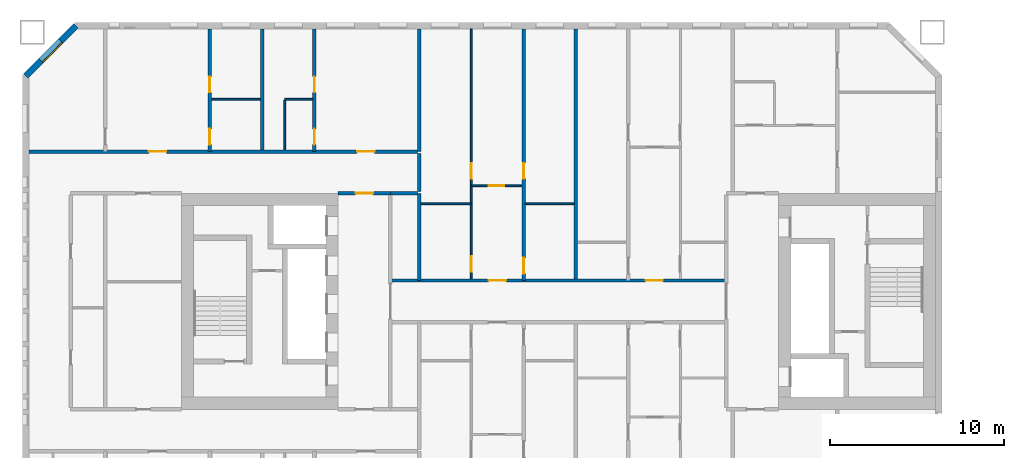
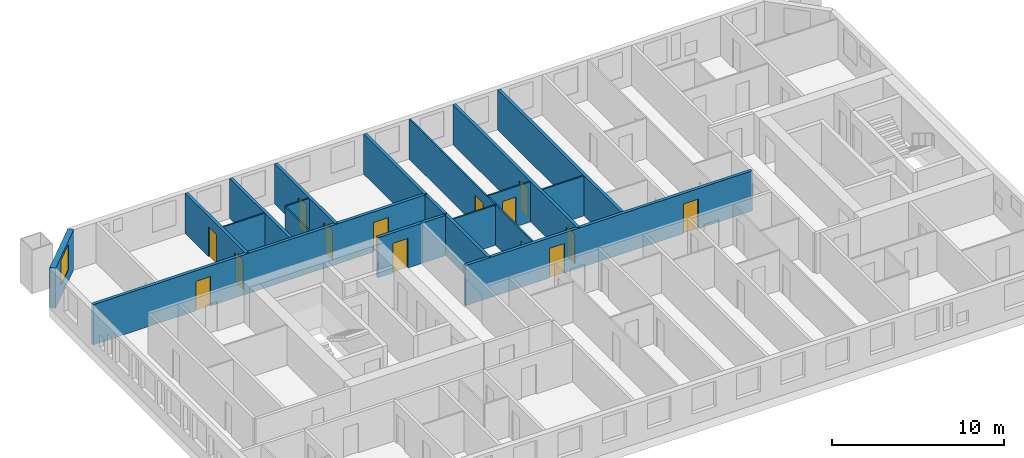
# One storey, part 5 of 17: 20 walls, 14 doors, 1 window, 15 openings.
"""IFC4 building model written with IfcOpenShell, lengths in metres."""

from ifc_helpers import new_model, si_unit, direction, frame, frame_2d, origin, place, context, subcontext, project, spatial, rectangle, extrude, material, layer, layer_set, type_object, element, fill, save


model = new_model("IFC4")

# Units and contexts
model_context = context("Model", 3, precision=1e-05, world=origin(), true_north=direction((0.0, 1.0)))
body_context = subcontext(model_context, "Body", "Model", "MODEL_VIEW")
ifc_project = project(units=[si_unit("LENGTHUNIT", "METRE"), si_unit("AREAUNIT", "SQUARE_METRE"), si_unit("VOLUMEUNIT", "CUBIC_METRE"), si_unit("PLANEANGLEUNIT", "RADIAN"), si_unit("MASSUNIT", "GRAM", prefix="KILO")], contexts=[model_context])

# Site, building, storey
site_placement = place(None, origin())
site = spatial("IfcSite", under=ifc_project, at=site_placement, CompositionType="ELEMENT")
building_placement = place(site_placement, origin())
building = spatial("IfcBuilding", under=site, at=building_placement, Name="Tuart Gate Housing", CompositionType="ELEMENT")
storey_placement = place(building_placement, frame((0.0, 0.0, 71.60009765625)))
storey = spatial("IfcBuildingStorey", under=building, at=storey_placement, Name="L19", CompositionType="ELEMENT", Elevation=71.60009765625)

# Wall, opening, window
ifc_material_1 = material(Name="Brick", Category="masonry")
ifc_layer_1 = layer(ifc_material_1, 0.360107421875)
ifc_layer_set_1 = layer_set([ifc_layer_1], Name="Brick pier and spandrel wall 360")
wall_type_1 = type_object("IfcWallType", Name="Brick pier and spandrel wall 360", PredefinedType="STANDARD", material=ifc_layer_set_1)
wall_1_placement = place(storey_placement, frame((26.32470703125, 85.820068359375, 0.0), z_axis=(0.0, 0.0, 1.0), x_axis=(-0.707106781187, -0.707106781187, 0.0)))
wall_1 = element("IfcWall", 1, at=wall_1_placement, inside=storey, type_object=wall_type_1, Name="External wall A-NW L19", PredefinedType="STANDARD", context=body_context, shape_type="SweptSolid", body=[
    extrude(rectangle(XDim=4.09375, YDim=0.360107421875, at=frame_2d((2.046875, 0.0))), origin(), (0.0, 0.0, 1.0), 2.849853515625),
])
opening_1_placement = place(wall_1_placement, frame((1.2470703125, 0.0, 0.800048828125)))
opening_1 = element("IfcOpeningElement", 2, at=opening_1_placement, cuts=wall_1, Name="Opening W1", PredefinedType="OPENING", context=body_context, shape_type="SweptSolid", body=[
    extrude(rectangle(XDim=1.60009765625, YDim=1.800048828125, at=frame_2d((0.800048828125, 0.89990234375))), frame((0.0, 0.18994140625, 0.0), z_axis=(0.0, -1.0, 0.0), x_axis=(1.0, 0.0, 0.0)), (0.0, 0.0, 1.0), 0.380126953125),
])
ifc_material_2 = material(Name="Aluminium frame with clear glass", Category="aluminium")
window_type = type_object("IfcWindowType", Name="Punched window 1600 x 1800", PartitioningType="SINGLE_PANEL", PredefinedType="WINDOW", material=ifc_material_2)
window_placement = place(opening_1_placement, origin())
window = element("IfcWindow", 3, at=window_placement, inside=storey, type_object=window_type, Name="Window W1", OverallHeight=1.800048828125, OverallWidth=1.60009765625, PartitioningType="SINGLE_PANEL", PredefinedType="WINDOW", context=body_context, shape_type="SweptSolid", body=[
    extrude(rectangle(XDim=1.60009765625, YDim=1.800048828125, at=frame_2d((0.800048828125, 0.89990234375))), frame((0.0, 0.150146484375, 0.0), z_axis=(0.0, -1.0, 0.0), x_axis=(1.0, 0.0, 0.0)), (0.0, 0.0, 1.0), 0.06005859375),
])
fill(opening_1, window)

# Wall, openings, doors
ifc_material_3 = material(Name="Concrete masonry 15 MPa", Category="masonry")
ifc_layer_2 = layer(ifc_material_3, 0.199951171875)
ifc_layer_set_2 = layer_set([ifc_layer_2], Name="Corridor wall masonry 200")
wall_type_2 = type_object("IfcWallType", Name="Corridor wall masonry 200", PredefinedType="PARTITIONING", material=ifc_layer_set_2)
wall_2_placement = place(storey_placement, frame((44.360107421875, 71.199951171875, 0.0), z_axis=(0.0, 0.0, 1.0), x_axis=(1.0, 0.0, 0.0)))
wall_2 = element("IfcWall", 4, at=wall_2_placement, inside=storey, type_object=wall_type_2, Name="Corridor wall masonry 200", PredefinedType="PARTITIONING", context=body_context, shape_type="SweptSolid", body=[
    extrude(rectangle(XDim=19.27978515625, YDim=0.199951171875, at=frame_2d((9.639892578125, 0.0))), origin(), (0.0, 0.0, 1.0), 2.849853515625),
])
opening_2_placement = place(wall_2_placement, frame((14.639892578125, 0.0, 0.0)))
opening_2 = element("IfcOpeningElement", 5, at=opening_2_placement, cuts=wall_2, Name="Opening D859", PredefinedType="OPENING", context=body_context, shape_type="SweptSolid", body=[
    extrude(rectangle(XDim=1.0, YDim=2.10009765625, at=frame_2d((0.5, 1.050048828125))), frame((0.0, 0.10986328125, 0.0), z_axis=(0.0, -1.0, 0.0), x_axis=(1.0, 0.0, 0.0)), (0.0, 0.0, 1.0), 0.219970703125),
])
opening_3_placement = place(wall_2_placement, frame((5.639892578125, 0.0, 0.0)))
opening_3 = element("IfcOpeningElement", 6, at=opening_3_placement, cuts=wall_2, Name="Opening D860", PredefinedType="OPENING", context=body_context, shape_type="SweptSolid", body=[
    extrude(rectangle(XDim=1.0, YDim=2.10009765625, at=frame_2d((0.5, 1.050048828125))), frame((0.0, 0.10986328125, 0.0), z_axis=(0.0, -1.0, 0.0), x_axis=(1.0, 0.0, 0.0)), (0.0, 0.0, 1.0), 0.219970703125),
])
ifc_material_4 = material(Name="Timber door leaf in steel frame", Category="steel")
door_type_1 = type_object("IfcDoorType", Name="Flat entrance door 1000", OperationType="SINGLE_SWING_LEFT", PredefinedType="DOOR", material=ifc_material_4)
door_1_placement = place(opening_2_placement, origin())
door_1 = element("IfcDoor", 7, at=door_1_placement, inside=storey, type_object=door_type_1, Name="Flat entrance door", OperationType="SINGLE_SWING_LEFT", OverallHeight=2.10009765625, OverallWidth=1.0, PredefinedType="DOOR", context=body_context, shape_type="SweptSolid", body=[
    extrude(rectangle(XDim=1.0, YDim=2.10009765625, at=frame_2d((0.5, 1.050048828125))), frame((0.0, 0.02490234375, 0.0), z_axis=(0.0, -1.0, 0.0), x_axis=(1.0, 0.0, 0.0)), (0.0, 0.0, 1.0), 0.050048828125),
])
fill(opening_2, door_1)
door_2_placement = place(opening_3_placement, origin())
door_2 = element("IfcDoor", 8, at=door_2_placement, inside=storey, type_object=door_type_1, Name="Flat entrance door", OperationType="SINGLE_SWING_LEFT", OverallHeight=2.10009765625, OverallWidth=1.0, PredefinedType="DOOR", context=body_context, shape_type="SweptSolid", body=[
    extrude(rectangle(XDim=1.0, YDim=2.10009765625, at=frame_2d((0.5, 1.050048828125))), frame((0.0, 0.02490234375, 0.0), z_axis=(0.0, -1.0, 0.0), x_axis=(1.0, 0.0, 0.0)), (0.0, 0.0, 1.0), 0.050048828125),
])
fill(opening_3, door_2)

# Wall
wall_3_placement = place(storey_placement, frame((44.360107421875, 76.199951171875, 0.0), z_axis=(0.0, 0.0, 1.0), x_axis=(1.0, 0.0, 0.0)))
element("IfcWall", 9, at=wall_3_placement, inside=storey, type_object=wall_type_2, Name="Corridor wall masonry 200", PredefinedType="PARTITIONING", context=body_context, shape_type="SweptSolid", body=[
    extrude(rectangle(XDim=1.539794921875, YDim=0.199951171875, at=frame_2d((0.77001953125, 0.0))), origin(), (0.0, 0.0, 1.0), 2.849853515625),
])

# Wall, openings, doors
wall_4_placement = place(storey_placement, frame((23.610107421875, 78.60009765625, 0.0), z_axis=(0.0, 0.0, 1.0), x_axis=(1.0, 0.0, 0.0)))
wall_4 = element("IfcWall", 10, at=wall_4_placement, inside=storey, type_object=wall_type_2, Name="Corridor wall masonry 200", PredefinedType="PARTITIONING", context=body_context, shape_type="SweptSolid", body=[
    extrude(rectangle(XDim=22.289794921875, YDim=0.199951171875, at=frame_2d((11.14501953125, 0.0))), origin(), (0.0, 0.0, 1.0), 2.849853515625),
])
opening_4_placement = place(wall_4_placement, frame((18.840087890625, 0.0, 0.0)))
opening_4 = element("IfcOpeningElement", 11, at=opening_4_placement, cuts=wall_4, Name="Opening D843", PredefinedType="OPENING", context=body_context, shape_type="SweptSolid", body=[
    extrude(rectangle(XDim=1.0, YDim=2.10009765625, at=frame_2d((0.5, 1.050048828125))), frame((0.0, 0.10986328125, 0.0), z_axis=(0.0, -1.0, 0.0), x_axis=(1.0, 0.0, 0.0)), (0.0, 0.0, 1.0), 0.219970703125),
])
opening_5_placement = place(wall_4_placement, frame((6.889892578125, 0.0, 0.0)))
opening_5 = element("IfcOpeningElement", 12, at=opening_5_placement, cuts=wall_4, Name="Opening D844", PredefinedType="OPENING", context=body_context, shape_type="SweptSolid", body=[
    extrude(rectangle(XDim=1.0, YDim=2.10009765625, at=frame_2d((0.5, 1.050048828125))), frame((0.0, 0.10986328125, 0.0), z_axis=(0.0, -1.0, 0.0), x_axis=(1.0, 0.0, 0.0)), (0.0, 0.0, 1.0), 0.219970703125),
])
door_3_placement = place(opening_4_placement, origin())
door_3 = element("IfcDoor", 13, at=door_3_placement, inside=storey, type_object=door_type_1, Name="Flat entrance door", OperationType="SINGLE_SWING_LEFT", OverallHeight=2.10009765625, OverallWidth=1.0, PredefinedType="DOOR", context=body_context, shape_type="SweptSolid", body=[
    extrude(rectangle(XDim=1.0, YDim=2.10009765625, at=frame_2d((0.5, 1.050048828125))), frame((0.0, 0.02490234375, 0.0), z_axis=(0.0, -1.0, 0.0), x_axis=(1.0, 0.0, 0.0)), (0.0, 0.0, 1.0), 0.050048828125),
])
fill(opening_4, door_3)
door_4_placement = place(opening_5_placement, origin())
door_4 = element("IfcDoor", 14, at=door_4_placement, inside=storey, type_object=door_type_1, Name="Flat entrance door", OperationType="SINGLE_SWING_LEFT", OverallHeight=2.10009765625, OverallWidth=1.0, PredefinedType="DOOR", context=body_context, shape_type="SweptSolid", body=[
    extrude(rectangle(XDim=1.0, YDim=2.10009765625, at=frame_2d((0.5, 1.050048828125))), frame((0.0, 0.02490234375, 0.0), z_axis=(0.0, -1.0, 0.0), x_axis=(1.0, 0.0, 0.0)), (0.0, 0.0, 1.0), 0.050048828125),
])
fill(opening_5, door_4)

# Wall
wall_5_placement = place(storey_placement, frame((46.0, 76.300048828125, 0.0), z_axis=(0.0, 0.0, 1.0), x_axis=(0.0, 1.0, 0.0)))
element("IfcWall", 15, at=wall_5_placement, inside=storey, type_object=wall_type_2, Name="Corridor wall masonry 200", PredefinedType="PARTITIONING", context=body_context, shape_type="SweptSolid", body=[
    extrude(rectangle(XDim=2.199951171875, YDim=0.199951171875, at=frame_2d((1.10009765625, 0.0))), origin(), (0.0, 0.0, 1.0), 2.849853515625),
])

# Wall, opening, door
ifc_material_5 = material(Name="Concrete masonry 15 MPa", Category="masonry")
ifc_layer_3 = layer(ifc_material_5, 0.199951171875)
ifc_layer_set_3 = layer_set([ifc_layer_3], Name="Enclosure wall masonry 200")
wall_type_3 = type_object("IfcWallType", Name="Enclosure wall masonry 200", PredefinedType="PARTITIONING", material=ifc_layer_set_3)
wall_6_placement = place(storey_placement, frame((41.360107421875, 76.199951171875, 0.0), z_axis=(0.0, 0.0, 1.0), x_axis=(1.0, 0.0, 0.0)))
wall_6 = element("IfcWall", 16, at=wall_6_placement, inside=storey, type_object=wall_type_3, Name="Enclosure wall masonry 200", PredefinedType="PARTITIONING", context=body_context, shape_type="SweptSolid", body=[
    extrude(rectangle(XDim=3.0, YDim=0.199951171875, at=frame_2d((1.5, 0.0))), origin(), (0.0, 0.0, 1.0), 2.849853515625),
])
opening_6_placement = place(wall_6_placement, frame((1.0, 0.0, 0.0)))
opening_6 = element("IfcOpeningElement", 17, at=opening_6_placement, cuts=wall_6, Name="Opening D855", PredefinedType="OPENING", context=body_context, shape_type="SweptSolid", body=[
    extrude(rectangle(XDim=1.0, YDim=2.10009765625, at=frame_2d((0.5, 1.050048828125))), frame((0.0, 0.10986328125, 0.0), z_axis=(0.0, -1.0, 0.0), x_axis=(1.0, 0.0, 0.0)), (0.0, 0.0, 1.0), 0.219970703125),
])
ifc_material_6 = material(Name="Timber door leaf in steel frame", Category="steel")
door_type_2 = type_object("IfcDoorType", Name="Fire door 1000 RH", OperationType="SINGLE_SWING_RIGHT", PredefinedType="DOOR", material=ifc_material_6)
door_5_placement = place(opening_6_placement, origin())
door_5 = element("IfcDoor", 18, at=door_5_placement, inside=storey, type_object=door_type_2, Name="Fire door", OperationType="SINGLE_SWING_RIGHT", OverallHeight=2.10009765625, OverallWidth=1.0, PredefinedType="DOOR", context=body_context, shape_type="SweptSolid", body=[
    extrude(rectangle(XDim=1.0, YDim=2.10009765625, at=frame_2d((0.5, 1.050048828125))), frame((0.0, 0.02490234375, 0.0), z_axis=(0.0, -1.0, 0.0), x_axis=(1.0, 0.0, 0.0)), (0.0, 0.0, 1.0), 0.050048828125),
])
fill(opening_6, door_5)

# Walls
ifc_material_7 = material(Name="Gypsum board on steel studs", Category="steel")
ifc_layer_4 = layer(ifc_material_7, 0.10009765625)
ifc_layer_set_4 = layer_set([ifc_layer_4], Name="Partition 100")
wall_type_4 = type_object("IfcWallType", Name="Partition 100", PredefinedType="PARTITIONING", material=ifc_layer_set_4)
wall_7_placement = place(storey_placement, frame((46.10009765625, 75.60009765625, 0.0), z_axis=(0.0, 0.0, 1.0), x_axis=(1.0, 0.0, 0.0)))
element("IfcWall", 19, at=wall_7_placement, inside=storey, type_object=wall_type_4, Name="Partition 100", PredefinedType="PARTITIONING", context=body_context, shape_type="SweptSolid", body=[
    extrude(rectangle(XDim=2.89990234375, YDim=0.10009765625, at=frame_2d((1.449951171875, 0.0))), origin(), (0.0, 0.0, 1.0), 2.849853515625),
])
wall_8_placement = place(storey_placement, frame((52.10009765625, 75.60009765625, 0.0), z_axis=(0.0, 0.0, 1.0), x_axis=(1.0, 0.0, 0.0)))
element("IfcWall", 20, at=wall_8_placement, inside=storey, type_object=wall_type_4, Name="Partition 100", PredefinedType="PARTITIONING", context=body_context, shape_type="SweptSolid", body=[
    extrude(rectangle(XDim=2.7998046875, YDim=0.10009765625, at=frame_2d((1.39990234375, 0.0))), origin(), (0.0, 0.0, 1.0), 2.849853515625),
])

# Wall, opening, door
wall_9_placement = place(storey_placement, frame((49.0, 76.639892578125, 0.0), z_axis=(0.0, 0.0, 1.0), x_axis=(1.0, 0.0, 0.0)))
wall_9 = element("IfcWall", 21, at=wall_9_placement, inside=storey, type_object=wall_type_4, Name="Partition 100", PredefinedType="PARTITIONING", context=body_context, shape_type="SweptSolid", body=[
    extrude(rectangle(XDim=2.89990234375, YDim=0.10009765625, at=frame_2d((1.449951171875, 0.0))), origin(), (0.0, 0.0, 1.0), 2.849853515625),
])
opening_7_placement = place(wall_9_placement, frame((1.0, 0.0, 0.0)))
opening_7 = element("IfcOpeningElement", 22, at=opening_7_placement, cuts=wall_9, Name="Opening D853", PredefinedType="OPENING", context=body_context, shape_type="SweptSolid", body=[
    extrude(rectangle(XDim=0.89990234375, YDim=2.10009765625, at=frame_2d((0.449951171875, 1.050048828125))), frame((0.0, 0.06005859375, 0.0), z_axis=(0.0, -1.0, 0.0), x_axis=(1.0, 0.0, 0.0)), (0.0, 0.0, 1.0), 0.1201171875),
])
ifc_material_8 = material(Name="Timber door leaf in steel frame", Category="steel")
door_type_3 = type_object("IfcDoorType", Name="Internal door 900 RH", OperationType="SINGLE_SWING_RIGHT", PredefinedType="DOOR", material=ifc_material_8)
door_6_placement = place(opening_7_placement, frame((0.89990234375, 0.0, 0.0), z_axis=(0.0, 0.0, 1.0), x_axis=(-1.0, 0.0, 0.0)))
door_6 = element("IfcDoor", 23, at=door_6_placement, inside=storey, type_object=door_type_3, Name="Internal door", OperationType="SINGLE_SWING_RIGHT", OverallHeight=2.10009765625, OverallWidth=0.89990234375, PredefinedType="DOOR", context=body_context, shape_type="SweptSolid", body=[
    extrude(rectangle(XDim=0.89990234375, YDim=2.10009765625, at=frame_2d((0.449951171875, 1.050048828125))), frame((0.0, 0.025146484375, 0.0), z_axis=(0.0, -1.0, 0.0), x_axis=(1.0, 0.0, 0.0)), (0.0, 0.0, 1.0), 0.050048828125),
])
fill(opening_7, door_6)

# Walls
wall_10_placement = place(storey_placement, frame((34.10009765625, 81.60009765625, 0.0), z_axis=(0.0, 0.0, 1.0), x_axis=(1.0, 0.0, 0.0)))
element("IfcWall", 24, at=wall_10_placement, inside=storey, type_object=wall_type_4, Name="Partition 100", PredefinedType="PARTITIONING", context=body_context, shape_type="SweptSolid", body=[
    extrude(rectangle(XDim=2.7998046875, YDim=0.10009765625, at=frame_2d((1.39990234375, 0.0))), origin(), (0.0, 0.0, 1.0), 2.849853515625),
])
wall_11_placement = place(storey_placement, frame((38.300048828125, 81.60009765625, 0.0), z_axis=(0.0, 0.0, 1.0), x_axis=(1.0, 0.0, 0.0)))
element("IfcWall", 25, at=wall_11_placement, inside=storey, type_object=wall_type_4, Name="Partition 100", PredefinedType="PARTITIONING", context=body_context, shape_type="SweptSolid", body=[
    extrude(rectangle(XDim=1.599853515625, YDim=0.10009765625, at=frame_2d((0.7998046875, 0.0))), origin(), (0.0, 0.0, 1.0), 2.849853515625),
])
wall_12_placement = place(storey_placement, frame((38.300048828125, 78.699951171875, 0.0), z_axis=(0.0, 0.0, 1.0), x_axis=(0.0, 1.0, 0.0)))
element("IfcWall", 26, at=wall_12_placement, inside=storey, type_object=wall_type_4, Name="Partition 100", PredefinedType="PARTITIONING", context=body_context, shape_type="SweptSolid", body=[
    extrude(rectangle(XDim=2.85009765625, YDim=0.10009765625, at=frame_2d((1.425048828125, 0.0))), origin(), (0.0, 0.0, 1.0), 2.849853515625),
])

# Wall, openings, doors
wall_13_placement = place(storey_placement, frame((49.0, 71.300048828125, 0.0), z_axis=(0.0, 0.0, 1.0), x_axis=(0.0, 1.0, 0.0)))
wall_13 = element("IfcWall", 27, at=wall_13_placement, inside=storey, type_object=wall_type_4, Name="Partition 100", PredefinedType="PARTITIONING", context=body_context, shape_type="SweptSolid", body=[
    extrude(rectangle(XDim=14.33984375, YDim=0.10009765625, at=frame_2d((7.169921875, 0.0))), origin(), (0.0, 0.0, 1.0), 2.849853515625),
])
opening_8_placement = place(wall_13_placement, frame((5.739990234375, 0.0, 0.0)))
opening_8 = element("IfcOpeningElement", 28, at=opening_8_placement, cuts=wall_13, Name="Opening D846", PredefinedType="OPENING", context=body_context, shape_type="SweptSolid", body=[
    extrude(rectangle(XDim=0.89990234375, YDim=2.10009765625, at=frame_2d((0.449951171875, 1.050048828125))), frame((0.0, 0.06005859375, 0.0), z_axis=(0.0, -1.0, 0.0), x_axis=(1.0, 0.0, 0.0)), (0.0, 0.0, 1.0), 0.1201171875),
])
opening_9_placement = place(wall_13_placement, frame((0.39990234375, 0.0, 0.0)))
opening_9 = element("IfcOpeningElement", 29, at=opening_9_placement, cuts=wall_13, Name="Opening D845", PredefinedType="OPENING", context=body_context, shape_type="SweptSolid", body=[
    extrude(rectangle(XDim=0.89990234375, YDim=2.10009765625, at=frame_2d((0.449951171875, 1.050048828125))), frame((0.0, 0.06005859375, 0.0), z_axis=(0.0, -1.0, 0.0), x_axis=(1.0, 0.0, 0.0)), (0.0, 0.0, 1.0), 0.1201171875),
])
ifc_material_9 = material(Name="Timber door leaf in steel frame", Category="steel")
door_type_4 = type_object("IfcDoorType", Name="Bathroom door 900", OperationType="SINGLE_SWING_LEFT", PredefinedType="DOOR", material=ifc_material_9)
door_7_placement = place(opening_9_placement, origin())
door_7 = element("IfcDoor", 30, at=door_7_placement, inside=storey, type_object=door_type_4, Name="Bathroom door", OperationType="SINGLE_SWING_LEFT", OverallHeight=2.10009765625, OverallWidth=0.89990234375, PredefinedType="DOOR", context=body_context, shape_type="SweptSolid", body=[
    extrude(rectangle(XDim=0.89990234375, YDim=2.10009765625, at=frame_2d((0.449951171875, 1.050048828125))), frame((0.0, 0.02490234375, 0.0), z_axis=(0.0, -1.0, 0.0), x_axis=(1.0, 0.0, 0.0)), (0.0, 0.0, 1.0), 0.050048828125),
])
fill(opening_9, door_7)
ifc_material_10 = material(Name="Timber door leaf in steel frame", Category="steel")
door_type_5 = type_object("IfcDoorType", Name="Internal door 900", OperationType="SINGLE_SWING_LEFT", PredefinedType="DOOR", material=ifc_material_10)
door_8_placement = place(opening_8_placement, origin())
door_8 = element("IfcDoor", 31, at=door_8_placement, inside=storey, type_object=door_type_5, Name="Internal door", OperationType="SINGLE_SWING_LEFT", OverallHeight=2.10009765625, OverallWidth=0.89990234375, PredefinedType="DOOR", context=body_context, shape_type="SweptSolid", body=[
    extrude(rectangle(XDim=0.89990234375, YDim=2.10009765625, at=frame_2d((0.449951171875, 1.050048828125))), frame((0.0, 0.02490234375, 0.0), z_axis=(0.0, -1.0, 0.0), x_axis=(1.0, 0.0, 0.0)), (0.0, 0.0, 1.0), 0.050048828125),
])
fill(opening_8, door_8)

ifc_material_11 = material(Name="Concrete C40", Category="concrete")
ifc_layer_5 = layer(ifc_material_11, 0.199951171875)
ifc_layer_set_5 = layer_set([ifc_layer_5], Name="Party wall concrete C40 200")
wall_type_5 = type_object("IfcWallType", Name="Party wall concrete C40 200", PredefinedType="SOLIDWALL", material=ifc_layer_set_5)
wall_14_placement = place(storey_placement, frame((34.0, 78.60009765625, 0.0), z_axis=(0.0, 0.0, 1.0), x_axis=(0.0, 1.0, 0.0)))
wall_14 = element("IfcWall", 32, at=wall_14_placement, inside=storey, type_object=wall_type_5, Name="Party wall concrete C40 200", PredefinedType="SOLIDWALL", context=body_context, shape_type="SweptSolid", body=[
    extrude(rectangle(XDim=7.039794921875, YDim=0.199951171875, at=frame_2d((3.52001953125, 0.0))), origin(), (0.0, 0.0, 1.0), 2.849853515625),
])
opening_10_placement = place(wall_14_placement, frame((3.39990234375, 0.0, 0.0)))
opening_10 = element("IfcOpeningElement", 33, at=opening_10_placement, cuts=wall_14, Name="Opening D835", PredefinedType="OPENING", context=body_context, shape_type="SweptSolid", body=[
    extrude(rectangle(XDim=0.89990234375, YDim=2.10009765625, at=frame_2d((0.449951171875, 1.050048828125))), frame((0.0, 0.10986328125, 0.0), z_axis=(0.0, -1.0, 0.0), x_axis=(1.0, 0.0, 0.0)), (0.0, 0.0, 1.0), 0.219970703125),
])
opening_11_placement = place(wall_14_placement, frame((0.39990234375, 0.0, 0.0)))
opening_11 = element("IfcOpeningElement", 34, at=opening_11_placement, cuts=wall_14, Name="Opening D834", PredefinedType="OPENING", context=body_context, shape_type="SweptSolid", body=[
    extrude(rectangle(XDim=0.89990234375, YDim=2.10009765625, at=frame_2d((0.449951171875, 1.050048828125))), frame((0.0, 0.10986328125, 0.0), z_axis=(0.0, -1.0, 0.0), x_axis=(1.0, 0.0, 0.0)), (0.0, 0.0, 1.0), 0.219970703125),
])
ifc_material_12 = material(Name="Timber door leaf in steel frame", Category="steel")
door_type_6 = type_object("IfcDoorType", Name="Bathroom door 900 RH", OperationType="SINGLE_SWING_RIGHT", PredefinedType="DOOR", material=ifc_material_12)
door_9_placement = place(opening_11_placement, frame((0.89990234375, 0.0, 0.0), z_axis=(0.0, 0.0, 1.0), x_axis=(-1.0, 0.0, 0.0)))
door_9 = element("IfcDoor", 35, at=door_9_placement, inside=storey, type_object=door_type_6, Name="Bathroom door", OperationType="SINGLE_SWING_RIGHT", OverallHeight=2.10009765625, OverallWidth=0.89990234375, PredefinedType="DOOR", context=body_context, shape_type="SweptSolid", body=[
    extrude(rectangle(XDim=0.89990234375, YDim=2.10009765625, at=frame_2d((0.449951171875, 1.050048828125))), frame((0.0, 0.025146484375, 0.0), z_axis=(0.0, -1.0, 0.0), x_axis=(1.0, 0.0, 0.0)), (0.0, 0.0, 1.0), 0.050048828125),
])
fill(opening_11, door_9)
door_10_placement = place(opening_10_placement, frame((0.89990234375, 0.0, 0.0), z_axis=(0.0, 0.0, 1.0), x_axis=(-1.0, 0.0, 0.0)))
door_10 = element("IfcDoor", 36, at=door_10_placement, inside=storey, type_object=door_type_3, Name="Internal door", OperationType="SINGLE_SWING_RIGHT", OverallHeight=2.10009765625, OverallWidth=0.89990234375, PredefinedType="DOOR", context=body_context, shape_type="SweptSolid", body=[
    extrude(rectangle(XDim=0.89990234375, YDim=2.10009765625, at=frame_2d((0.449951171875, 1.050048828125))), frame((0.0, 0.025146484375, 0.0), z_axis=(0.0, -1.0, 0.0), x_axis=(1.0, 0.0, 0.0)), (0.0, 0.0, 1.0), 0.050048828125),
])
fill(opening_10, door_10)

wall_15_placement = place(storey_placement, frame((40.0, 78.60009765625, 0.0), z_axis=(0.0, 0.0, 1.0), x_axis=(0.0, 1.0, 0.0)))
wall_15 = element("IfcWall", 37, at=wall_15_placement, inside=storey, type_object=wall_type_5, Name="Party wall concrete C40 200", PredefinedType="SOLIDWALL", context=body_context, shape_type="SweptSolid", body=[
    extrude(rectangle(XDim=7.039794921875, YDim=0.199951171875, at=frame_2d((3.52001953125, 0.0))), origin(), (0.0, 0.0, 1.0), 2.849853515625),
])
opening_12_placement = place(wall_15_placement, frame((3.39990234375, 0.0, 0.0)))
opening_12 = element("IfcOpeningElement", 38, at=opening_12_placement, cuts=wall_15, Name="Opening D837", PredefinedType="OPENING", context=body_context, shape_type="SweptSolid", body=[
    extrude(rectangle(XDim=0.89990234375, YDim=2.10009765625, at=frame_2d((0.449951171875, 1.050048828125))), frame((0.0, 0.10986328125, 0.0), z_axis=(0.0, -1.0, 0.0), x_axis=(1.0, 0.0, 0.0)), (0.0, 0.0, 1.0), 0.219970703125),
])
opening_13_placement = place(wall_15_placement, frame((0.39990234375, 0.0, 0.0)))
opening_13 = element("IfcOpeningElement", 39, at=opening_13_placement, cuts=wall_15, Name="Opening D836", PredefinedType="OPENING", context=body_context, shape_type="SweptSolid", body=[
    extrude(rectangle(XDim=0.89990234375, YDim=2.10009765625, at=frame_2d((0.449951171875, 1.050048828125))), frame((0.0, 0.10986328125, 0.0), z_axis=(0.0, -1.0, 0.0), x_axis=(1.0, 0.0, 0.0)), (0.0, 0.0, 1.0), 0.219970703125),
])
door_11_placement = place(opening_13_placement, origin())
door_11 = element("IfcDoor", 40, at=door_11_placement, inside=storey, type_object=door_type_4, Name="Bathroom door", OperationType="SINGLE_SWING_LEFT", OverallHeight=2.10009765625, OverallWidth=0.89990234375, PredefinedType="DOOR", context=body_context, shape_type="SweptSolid", body=[
    extrude(rectangle(XDim=0.89990234375, YDim=2.10009765625, at=frame_2d((0.449951171875, 1.050048828125))), frame((0.0, 0.02490234375, 0.0), z_axis=(0.0, -1.0, 0.0), x_axis=(1.0, 0.0, 0.0)), (0.0, 0.0, 1.0), 0.050048828125),
])
fill(opening_13, door_11)
door_12_placement = place(opening_12_placement, origin())
door_12 = element("IfcDoor", 41, at=door_12_placement, inside=storey, type_object=door_type_5, Name="Internal door", OperationType="SINGLE_SWING_LEFT", OverallHeight=2.10009765625, OverallWidth=0.89990234375, PredefinedType="DOOR", context=body_context, shape_type="SweptSolid", body=[
    extrude(rectangle(XDim=0.89990234375, YDim=2.10009765625, at=frame_2d((0.449951171875, 1.050048828125))), frame((0.0, 0.02490234375, 0.0), z_axis=(0.0, -1.0, 0.0), x_axis=(1.0, 0.0, 0.0)), (0.0, 0.0, 1.0), 0.050048828125),
])
fill(opening_12, door_12)

# Walls
wall_16_placement = place(storey_placement, frame((46.0, 71.199951171875, 0.0), z_axis=(0.0, 0.0, 1.0), x_axis=(0.0, 1.0, 0.0)))
element("IfcWall", 42, at=wall_16_placement, inside=storey, type_object=wall_type_5, Name="Party wall concrete C40 200", PredefinedType="SOLIDWALL", context=body_context, shape_type="SweptSolid", body=[
    extrude(rectangle(XDim=5.0, YDim=0.199951171875, at=frame_2d((2.5, 0.0))), origin(), (0.0, 0.0, 1.0), 2.849853515625),
])
wall_17_placement = place(storey_placement, frame((46.0, 78.60009765625, 0.0), z_axis=(0.0, 0.0, 1.0), x_axis=(0.0, 1.0, 0.0)))
element("IfcWall", 43, at=wall_17_placement, inside=storey, type_object=wall_type_5, Name="Party wall concrete C40 200", PredefinedType="SOLIDWALL", context=body_context, shape_type="SweptSolid", body=[
    extrude(rectangle(XDim=7.039794921875, YDim=0.199951171875, at=frame_2d((3.52001953125, 0.0))), origin(), (0.0, 0.0, 1.0), 2.849853515625),
])

# Wall, openings, doors
wall_18_placement = place(storey_placement, frame((52.0, 71.199951171875, 0.0), z_axis=(0.0, 0.0, 1.0), x_axis=(0.0, 1.0, 0.0)))
wall_18 = element("IfcWall", 44, at=wall_18_placement, inside=storey, type_object=wall_type_5, Name="Party wall concrete C40 200", PredefinedType="SOLIDWALL", context=body_context, shape_type="SweptSolid", body=[
    extrude(rectangle(XDim=14.43994140625, YDim=0.199951171875, at=frame_2d((7.219970703125, 0.0))), origin(), (0.0, 0.0, 1.0), 2.849853515625),
])
opening_14_placement = place(wall_18_placement, frame((5.840087890625, 0.0, 0.0)))
opening_14 = element("IfcOpeningElement", 45, at=opening_14_placement, cuts=wall_18, Name="Opening D850", PredefinedType="OPENING", context=body_context, shape_type="SweptSolid", body=[
    extrude(rectangle(XDim=0.89990234375, YDim=2.10009765625, at=frame_2d((0.449951171875, 1.050048828125))), frame((0.0, 0.10986328125, 0.0), z_axis=(0.0, -1.0, 0.0), x_axis=(1.0, 0.0, 0.0)), (0.0, 0.0, 1.0), 0.219970703125),
])
opening_15_placement = place(wall_18_placement, frame((0.39990234375, 0.0, 0.0)))
opening_15 = element("IfcOpeningElement", 46, at=opening_15_placement, cuts=wall_18, Name="Opening D849", PredefinedType="OPENING", context=body_context, shape_type="SweptSolid", body=[
    extrude(rectangle(XDim=0.89990234375, YDim=2.10009765625, at=frame_2d((0.449951171875, 1.050048828125))), frame((0.0, 0.10986328125, 0.0), z_axis=(0.0, -1.0, 0.0), x_axis=(1.0, 0.0, 0.0)), (0.0, 0.0, 1.0), 0.219970703125),
])
door_13_placement = place(opening_15_placement, frame((0.89990234375, 0.0, 0.0), z_axis=(0.0, 0.0, 1.0), x_axis=(-1.0, 0.0, 0.0)))
door_13 = element("IfcDoor", 47, at=door_13_placement, inside=storey, type_object=door_type_6, Name="Bathroom door", OperationType="SINGLE_SWING_RIGHT", OverallHeight=2.10009765625, OverallWidth=0.89990234375, PredefinedType="DOOR", context=body_context, shape_type="SweptSolid", body=[
    extrude(rectangle(XDim=0.89990234375, YDim=2.10009765625, at=frame_2d((0.449951171875, 1.050048828125))), frame((0.0, 0.025146484375, 0.0), z_axis=(0.0, -1.0, 0.0), x_axis=(1.0, 0.0, 0.0)), (0.0, 0.0, 1.0), 0.050048828125),
])
fill(opening_15, door_13)
door_14_placement = place(opening_14_placement, frame((0.89990234375, 0.0, 0.0), z_axis=(0.0, 0.0, 1.0), x_axis=(-1.0, 0.0, 0.0)))
door_14 = element("IfcDoor", 48, at=door_14_placement, inside=storey, type_object=door_type_3, Name="Internal door", OperationType="SINGLE_SWING_RIGHT", OverallHeight=2.10009765625, OverallWidth=0.89990234375, PredefinedType="DOOR", context=body_context, shape_type="SweptSolid", body=[
    extrude(rectangle(XDim=0.89990234375, YDim=2.10009765625, at=frame_2d((0.449951171875, 1.050048828125))), frame((0.0, 0.025146484375, 0.0), z_axis=(0.0, -1.0, 0.0), x_axis=(1.0, 0.0, 0.0)), (0.0, 0.0, 1.0), 0.050048828125),
])
fill(opening_14, door_14)

# Walls
ifc_material_13 = material(Name="Concrete masonry 15 MPa", Category="masonry")
ifc_layer_6 = layer(ifc_material_13, 0.199951171875)
ifc_layer_set_6 = layer_set([ifc_layer_6], Name="Party wall masonry 200")
wall_type_6 = type_object("IfcWallType", Name="Party wall masonry 200", PredefinedType="PARTITIONING", material=ifc_layer_set_6)
wall_19_placement = place(storey_placement, frame((37.0, 78.699951171875, 0.0), z_axis=(0.0, 0.0, 1.0), x_axis=(0.0, 1.0, 0.0)))
element("IfcWall", 49, at=wall_19_placement, inside=storey, type_object=wall_type_6, Name="Party wall masonry 200", PredefinedType="PARTITIONING", context=body_context, shape_type="SweptSolid", body=[
    extrude(rectangle(XDim=6.93994140625, YDim=0.199951171875, at=frame_2d((3.469970703125, 0.0))), origin(), (0.0, 0.0, 1.0), 2.849853515625),
])
wall_20_placement = place(storey_placement, frame((55.0, 71.300048828125, 0.0), z_axis=(0.0, 0.0, 1.0), x_axis=(0.0, 1.0, 0.0)))
element("IfcWall", 50, at=wall_20_placement, inside=storey, type_object=wall_type_6, Name="Party wall masonry 200", PredefinedType="PARTITIONING", context=body_context, shape_type="SweptSolid", body=[
    extrude(rectangle(XDim=14.33984375, YDim=0.199951171875, at=frame_2d((7.169921875, 0.0))), origin(), (0.0, 0.0, 1.0), 2.849853515625),
])

save(model, "model.ifc")
